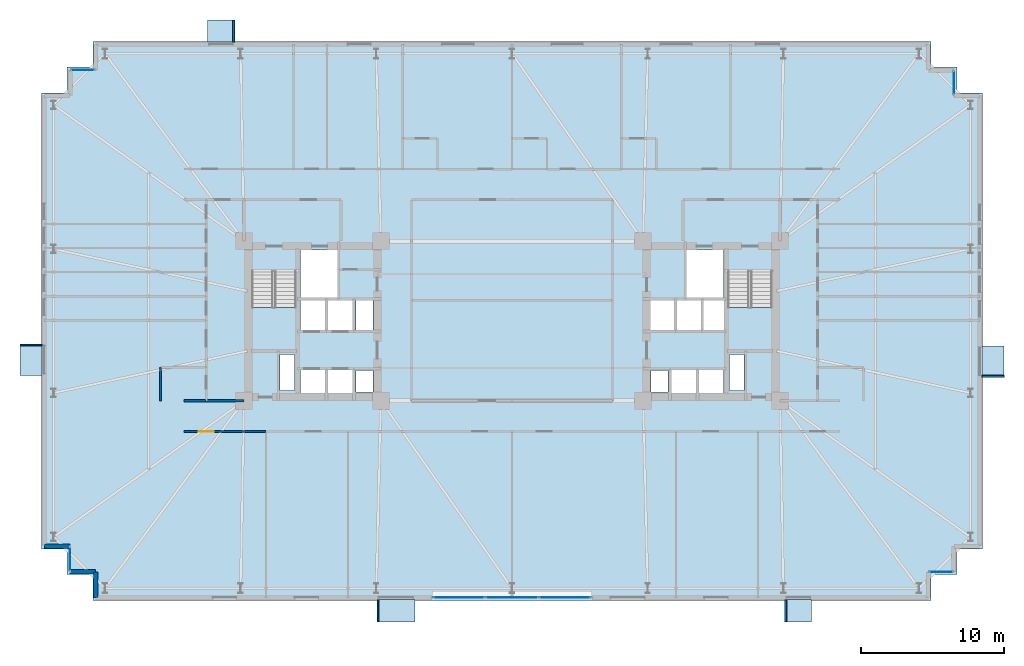
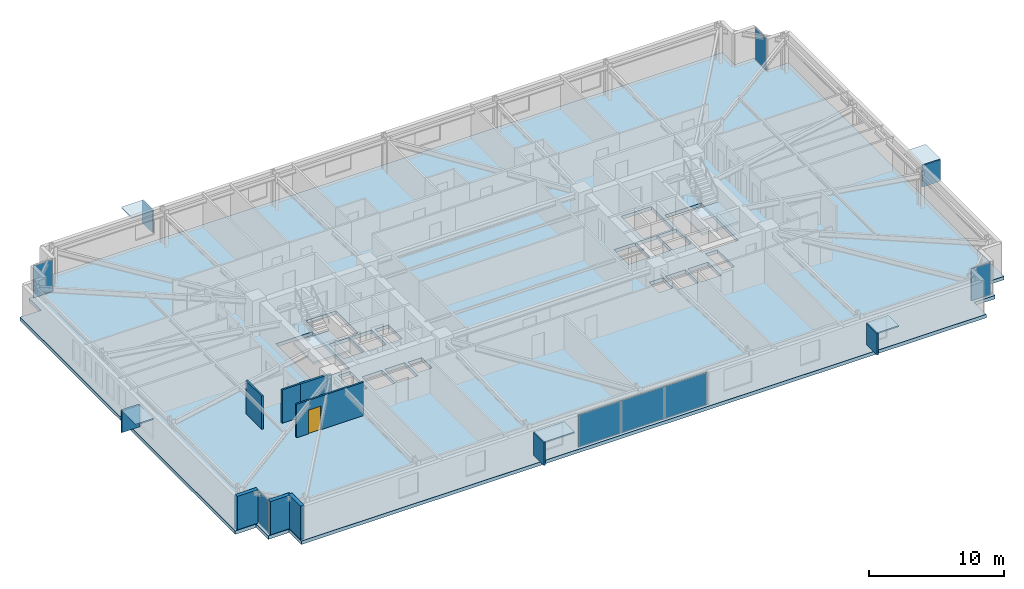
# One storey, part 17 of 24: 17 plates, 7 walls, 3 slabs, 1 door, 1 opening, 7 elements without a shape of their own.
"""IFC4 building model written with IfcOpenShell, lengths in metres."""

from ifc_helpers import new_model, si_unit, direction, frame, frame_2d, origin, origin_2d, place, context, subcontext, project, spatial, polyline, rectangle, outline, extrude, material, layer, layer_set, type_object, element, fill, aggregate, save


model = new_model("IFC4")

# Units and contexts
model_context = context("Model", 3, precision=1e-05, world=origin(), true_north=direction((0.0, 1.0)))
body_context = subcontext(model_context, "Body", "Model", "MODEL_VIEW")
ifc_project = project(units=[si_unit("LENGTHUNIT", "METRE"), si_unit("AREAUNIT", "SQUARE_METRE"), si_unit("VOLUMEUNIT", "CUBIC_METRE"), si_unit("PLANEANGLEUNIT", "RADIAN"), si_unit("MASSUNIT", "GRAM", prefix="KILO")], contexts=[model_context])

# Site, building, storey
site_placement = place(None, origin())
site = spatial("IfcSite", under=ifc_project, at=site_placement, CompositionType="ELEMENT")
building_placement = place(site_placement, origin())
building = spatial("IfcBuilding", under=site, at=building_placement, Name="Qobustan Lattice House", CompositionType="ELEMENT")
storey_placement = place(building_placement, frame((0.0, 0.0, 43.75)))
storey = spatial("IfcBuildingStorey", under=building, at=storey_placement, Name="L11", CompositionType="ELEMENT", Elevation=43.75)

# Curtain wall, plate
ifc_material_1 = material(Name="Anodised aluminium and low-E glazing", Category="aluminium")
ifc_layer_1 = layer(ifc_material_1, 0.219970703125)
ifc_layer_set_1 = layer_set([ifc_layer_1], Name="Anodised aluminium and low-E glazing")
curtain_wall_type_1 = type_object("IfcCurtainWallType", Name="CW-FAC-01", PredefinedType="USERDEFINED", material=ifc_layer_set_1)
curtain_wall_1_placement = place(storey_placement, origin())
curtain_wall_1 = element("IfcCurtainWall", 1, at=curtain_wall_1_placement, inside=storey, type_object=curtain_wall_type_1, Name="L11 serrated corner faceted glazing 3", ObjectType="CURTAIN WALL", PredefinedType="USERDEFINED")
ifc_material_2 = material(Name="Clear low-E laminated glass", Category="glass")
ifc_layer_2 = layer(ifc_material_2, 0.031982421875)
ifc_layer_set_2 = layer_set([ifc_layer_2], Name="Clear low-E laminated glass")
plate_type_1 = type_object("IfcPlateType", Name="CWP-VISION-32", PredefinedType="CURTAIN_PANEL", material=ifc_layer_set_2)
plate_1_placement = place(storey_placement, frame((-31.0, -16.699951171875, 0.06494140625), z_axis=(0.0, 0.0, 1.0), x_axis=(0.0, 1.0, 0.0)))
plate_1 = element("IfcPlate", 2, at=plate_1_placement, type_object=plate_type_1, Name="CW-F1 panel 1.1", PredefinedType="CURTAIN_PANEL", context=body_context, shape_type="SweptSolid", body=[
    extrude(rectangle(XDim=1.659912109375, YDim=0.031982421875, at=origin_2d()), origin(), (0.0, 0.0, 1.0), 2.905029296875),
])
aggregate(curtain_wall_1, [plate_1])

curtain_wall_2_placement = place(storey_placement, origin())
curtain_wall_2 = element("IfcCurtainWall", 3, at=curtain_wall_2_placement, inside=storey, type_object=curtain_wall_type_1, Name="L11 serrated corner faceted glazing 8", ObjectType="CURTAIN WALL", PredefinedType="USERDEFINED")
plate_2_placement = place(storey_placement, frame((-30.10009765625, 17.60009765625, 0.06494140625), z_axis=(0.0, 0.0, 1.0), x_axis=(1.0, 0.0, 0.0)))
plate_2 = element("IfcPlate", 4, at=plate_2_placement, type_object=plate_type_1, Name="CW-F1 panel 1.1", PredefinedType="CURTAIN_PANEL", context=body_context, shape_type="SweptSolid", body=[
    extrude(rectangle(XDim=1.659912109375, YDim=0.031982421875, at=origin_2d()), origin(), (0.0, 0.0, 1.0), 2.905029296875),
])
aggregate(curtain_wall_2, [plate_2])

curtain_wall_3_placement = place(storey_placement, origin())
curtain_wall_3 = element("IfcCurtainWall", 5, at=curtain_wall_3_placement, inside=storey, type_object=curtain_wall_type_1, Name="L11 serrated corner faceted glazing 13", ObjectType="CURTAIN WALL", PredefinedType="USERDEFINED")
plate_3_placement = place(storey_placement, frame((31.0, 16.699951171875, 0.06494140625), z_axis=(0.0, 0.0, 1.0), x_axis=(0.0, -1.0, 0.0)))
plate_3 = element("IfcPlate", 6, at=plate_3_placement, type_object=plate_type_1, Name="CW-F1 panel 1.1", PredefinedType="CURTAIN_PANEL", context=body_context, shape_type="SweptSolid", body=[
    extrude(rectangle(XDim=1.659912109375, YDim=0.031982421875, at=origin_2d()), origin(), (0.0, 0.0, 1.0), 2.905029296875),
])
aggregate(curtain_wall_3, [plate_3])

curtain_wall_4_placement = place(storey_placement, origin())
curtain_wall_4 = element("IfcCurtainWall", 7, at=curtain_wall_4_placement, inside=storey, type_object=curtain_wall_type_1, Name="L11 serrated corner faceted glazing 18", ObjectType="CURTAIN WALL", PredefinedType="USERDEFINED")
plate_4_placement = place(storey_placement, frame((30.10009765625, -17.60009765625, 0.06494140625), z_axis=(0.0, 0.0, 1.0), x_axis=(-1.0, 0.0, 0.0)))
plate_4 = element("IfcPlate", 8, at=plate_4_placement, type_object=plate_type_1, Name="CW-F1 panel 1.1", PredefinedType="CURTAIN_PANEL", context=body_context, shape_type="SweptSolid", body=[
    extrude(rectangle(XDim=1.659912109375, YDim=0.031982421875, at=origin_2d()), origin(), (0.0, 0.0, 1.0), 2.905029296875),
])
aggregate(curtain_wall_4, [plate_4])

# Curtain wall, plates
ifc_material_3 = material(Name="Anodised aluminium and low-E glazing", Category="aluminium")
ifc_layer_3 = layer(ifc_material_3, 0.219970703125)
ifc_layer_set_3 = layer_set([ifc_layer_3], Name="Anodised aluminium and low-E glazing")
curtain_wall_type_2 = type_object("IfcCurtainWallType", Name="CW-IWN-01", PredefinedType="USERDEFINED", material=ifc_layer_set_3)
curtain_wall_5_placement = place(storey_placement, origin())
curtain_wall_5 = element("IfcCurtainWall", 9, at=curtain_wall_5_placement, inside=storey, type_object=curtain_wall_type_2, Name="L11 IWAN-1 walnut-lined iwan curtain wall", ObjectType="CURTAIN WALL", PredefinedType="USERDEFINED")
plate_5_placement = place(storey_placement, frame((3.71337890625, -19.39990234375, 0.06494140625), z_axis=(0.0, 0.0, 1.0), x_axis=(-1.0, 0.0, 0.0)))
plate_5 = element("IfcPlate", 10, at=plate_5_placement, type_object=plate_type_1, Name="CW-IW panel 1.1", PredefinedType="CURTAIN_PANEL", context=body_context, shape_type="SweptSolid", body=[
    extrude(rectangle(XDim=3.61328125, YDim=0.031982421875, at=origin_2d()), origin(), (0.0, 0.0, 1.0), 2.905029296875),
])
plate_6_placement = place(storey_placement, frame((0.0, -19.39990234375, 0.06494140625), z_axis=(0.0, 0.0, 1.0), x_axis=(-1.0, 0.0, 0.0)))
plate_6 = element("IfcPlate", 11, at=plate_6_placement, type_object=plate_type_1, Name="CW-IW panel 2.1", PredefinedType="CURTAIN_PANEL", context=body_context, shape_type="SweptSolid", body=[
    extrude(rectangle(XDim=3.6533203125, YDim=0.031982421875, at=origin_2d()), origin(), (0.0, 0.0, 1.0), 2.905029296875),
])
plate_7_placement = place(storey_placement, frame((-3.71337890625, -19.39990234375, 0.06494140625), z_axis=(0.0, 0.0, 1.0), x_axis=(-1.0, 0.0, 0.0)))
plate_7 = element("IfcPlate", 12, at=plate_7_placement, type_object=plate_type_1, Name="CW-IW panel 3.1", PredefinedType="CURTAIN_PANEL", context=body_context, shape_type="SweptSolid", body=[
    extrude(rectangle(XDim=3.61328125, YDim=0.031982421875, at=origin_2d()), origin(), (0.0, 0.0, 1.0), 2.905029296875),
])
aggregate(curtain_wall_5, [plate_5, plate_6, plate_7])

# Plates
ifc_material_4 = material(Name="Qobustan limestone GFRC", Category="masonry")
ifc_layer_4 = layer(ifc_material_4, 0.1201171875)
ifc_layer_set_4 = layer_set([ifc_layer_4], Name="Qobustan limestone GFRC")
plate_type_2 = type_object("IfcPlateType", Name="SHD-HOOD-BROW", PredefinedType="USERDEFINED", material=ifc_layer_set_4)
plate_8_placement = place(storey_placement, frame((-33.72998046875, -2.719970703125, 2.699951171875), z_axis=(0.0, 0.0, 1.0), x_axis=(0.0, 1.0, 0.0)))
element("IfcPlate", 13, at=plate_8_placement, inside=storey, type_object=plate_type_2, Name="L11 splayed Qobustan stone hood brow", ObjectType="SUNSHADE", PredefinedType="USERDEFINED", context=body_context, shape_type="SweptSolid", body=[
    extrude(rectangle(XDim=2.18994140625, YDim=1.56005859375, at=origin_2d()), origin(), (0.0, 0.0, 1.0), 0.1201171875),
])
plate_9_placement = place(storey_placement, frame((-33.72998046875, -1.68505859375, 0.7900390625), z_axis=(0.0, 0.0, 1.0), x_axis=(0.0, 1.0, 0.0)))
element("IfcPlate", 14, at=plate_9_placement, inside=storey, type_object=plate_type_2, Name="L11 splayed Qobustan stone hood cheek", ObjectType="SUNSHADE", PredefinedType="USERDEFINED", context=body_context, shape_type="SweptSolid", body=[
    extrude(rectangle(XDim=0.1201171875, YDim=1.56005859375, at=origin_2d()), origin(), (0.0, 0.0, 1.0), 1.969970703125),
])
plate_10_placement = place(storey_placement, frame((-20.402587890625, 20.330078125, 2.699951171875), z_axis=(0.0, 0.0, 1.0), x_axis=(1.0, 0.0, 0.0)))
element("IfcPlate", 15, at=plate_10_placement, inside=storey, type_object=plate_type_2, Name="L11 splayed Qobustan stone hood brow", ObjectType="SUNSHADE", PredefinedType="USERDEFINED", context=body_context, shape_type="SweptSolid", body=[
    extrude(rectangle(XDim=1.889892578125, YDim=1.56005859375, at=origin_2d()), origin(), (0.0, 0.0, 1.0), 0.1201171875),
])
plate_11_placement = place(storey_placement, frame((-19.517578125, 20.330078125, 0.7900390625), z_axis=(0.0, 0.0, 1.0), x_axis=(1.0, 0.0, 0.0)))
element("IfcPlate", 16, at=plate_11_placement, inside=storey, type_object=plate_type_2, Name="L11 splayed Qobustan stone hood cheek", ObjectType="SUNSHADE", PredefinedType="USERDEFINED", context=body_context, shape_type="SweptSolid", body=[
    extrude(rectangle(XDim=0.1201171875, YDim=1.56005859375, at=origin_2d()), origin(), (0.0, 0.0, 1.0), 1.969970703125),
])
plate_12_placement = place(storey_placement, frame((33.72998046875, -2.840087890625, 2.699951171875), z_axis=(0.0, 0.0, 1.0), x_axis=(0.0, -1.0, 0.0)))
element("IfcPlate", 17, at=plate_12_placement, inside=storey, type_object=plate_type_2, Name="L11 splayed Qobustan stone hood brow", ObjectType="SUNSHADE", PredefinedType="USERDEFINED", context=body_context, shape_type="SweptSolid", body=[
    extrude(rectangle(XDim=2.18994140625, YDim=1.56005859375, at=origin_2d()), origin(), (0.0, 0.0, 1.0), 0.1201171875),
])
plate_13_placement = place(storey_placement, frame((33.72998046875, -3.875, 0.7900390625), z_axis=(0.0, 0.0, 1.0), x_axis=(0.0, -1.0, 0.0)))
element("IfcPlate", 18, at=plate_13_placement, inside=storey, type_object=plate_type_2, Name="L11 splayed Qobustan stone hood cheek", ObjectType="SUNSHADE", PredefinedType="USERDEFINED", context=body_context, shape_type="SweptSolid", body=[
    extrude(rectangle(XDim=0.1201171875, YDim=1.56005859375, at=origin_2d()), origin(), (0.0, 0.0, 1.0), 1.969970703125),
])
plate_14_placement = place(storey_placement, frame((20.080078125, -20.330078125, 2.699951171875), z_axis=(0.0, 0.0, 1.0), x_axis=(-1.0, 0.0, 0.0)))
element("IfcPlate", 19, at=plate_14_placement, inside=storey, type_object=plate_type_2, Name="L11 splayed Qobustan stone hood brow", ObjectType="SUNSHADE", PredefinedType="USERDEFINED", context=body_context, shape_type="SweptSolid", body=[
    extrude(rectangle(XDim=1.889892578125, YDim=1.56005859375, at=origin_2d()), origin(), (0.0, 0.0, 1.0), 0.1201171875),
])
plate_15_placement = place(storey_placement, frame((19.195068359375, -20.330078125, 0.7900390625), z_axis=(0.0, 0.0, 1.0), x_axis=(-1.0, 0.0, 0.0)))
element("IfcPlate", 20, at=plate_15_placement, inside=storey, type_object=plate_type_2, Name="L11 splayed Qobustan stone hood cheek", ObjectType="SUNSHADE", PredefinedType="USERDEFINED", context=body_context, shape_type="SweptSolid", body=[
    extrude(rectangle(XDim=0.1201171875, YDim=1.56005859375, at=origin_2d()), origin(), (0.0, 0.0, 1.0), 1.969970703125),
])
plate_16_placement = place(storey_placement, frame((-8.1298828125, -20.330078125, 2.800048828125), z_axis=(0.0, 0.0, 1.0), x_axis=(-1.0, 0.0, 0.0)))
element("IfcPlate", 21, at=plate_16_placement, inside=storey, type_object=plate_type_2, Name="L11 splayed Qobustan stone hood brow", ObjectType="SUNSHADE", PredefinedType="USERDEFINED", context=body_context, shape_type="SweptSolid", body=[
    extrude(rectangle(XDim=2.639892578125, YDim=1.56005859375, at=origin_2d()), origin(), (0.0, 0.0, 1.0), 0.1201171875),
])
plate_17_placement = place(storey_placement, frame((-9.389892578125, -20.330078125, 0.7900390625), z_axis=(0.0, 0.0, 1.0), x_axis=(-1.0, 0.0, 0.0)))
element("IfcPlate", 22, at=plate_17_placement, inside=storey, type_object=plate_type_2, Name="L11 splayed Qobustan stone hood cheek", ObjectType="SUNSHADE", PredefinedType="USERDEFINED", context=body_context, shape_type="SweptSolid", body=[
    extrude(rectangle(XDim=0.1201171875, YDim=1.56005859375, at=origin_2d()), origin(), (0.0, 0.0, 1.0), 2.070068359375),
])

# Slab
ifc_material_5 = material(Name="Concrete C40/50", Category="concrete")
ifc_layer_5 = layer(ifc_material_5, 0.31494140625)
ifc_layer_set_5 = layer_set([ifc_layer_5], Name="Concrete C40/50")
slab_type_1 = type_object("IfcSlabType", Name="SLB-FLR-315", PredefinedType="FLOOR", material=ifc_layer_set_5)
slab_1_placement = place(storey_placement, frame((0.0, 0.0, -0.31494140625)))
element("IfcSlab", 23, at=slab_1_placement, inside=storey, type_object=slab_type_1, Name="L11 structural floor slab", PredefinedType="FLOOR", context=body_context, shape_type="SweptSolid", body=[
    extrude(outline(polyline([(-29.39990234375, -19.60009765625), (29.39990234375, -19.60009765625), (29.39990234375, -17.800048828125), (31.199951171875, -17.800048828125), (31.199951171875, -16.0), (33.0, -16.0), (33.0, 16.0), (31.199951171875, 16.0), (31.199951171875, 17.800048828125), (29.39990234375, 17.800048828125), (29.39990234375, 19.60009765625), (-29.39990234375, 19.60009765625), (-29.39990234375, 17.800048828125), (-31.199951171875, 17.800048828125), (-31.199951171875, 16.0), (-33.0, 16.0), (-33.0, -16.0), (-31.199951171875, -16.0), (-31.199951171875, -17.800048828125), (-29.39990234375, -17.800048828125), (-29.39990234375, -19.60009765625)]), holes=[polyline([(-18.25, -2.050048828125), (-18.25, 3.489990234375), (-15.1298828125, 3.489990234375), (-15.1298828125, -2.050048828125), (-18.25, -2.050048828125)]), polyline([(15.1298828125, -2.050048828125), (15.1298828125, 3.489990234375), (18.25, 3.489990234375), (18.25, -2.050048828125), (15.1298828125, -2.050048828125)]), polyline([(-14.820068359375, 1.64990234375), (-14.820068359375, 4.9599609375), (-12.25, 4.9599609375), (-12.25, 1.64990234375), (-14.820068359375, 1.64990234375)]), polyline([(12.25, 1.64990234375), (12.25, 4.9599609375), (14.820068359375, 4.9599609375), (14.820068359375, 1.64990234375), (12.25, 1.64990234375)]), polyline([(-16.260009765625, -4.8798828125), (-16.260009765625, -2.360107421875), (-15.260009765625, -2.360107421875), (-15.260009765625, -4.8798828125), (-16.260009765625, -4.8798828125)]), polyline([(15.260009765625, -4.8798828125), (15.260009765625, -2.360107421875), (16.260009765625, -2.360107421875), (16.260009765625, -4.8798828125), (15.260009765625, -4.8798828125)]), polyline([(-14.85009765625, -5.35009765625), (-14.85009765625, -3.419921875), (-13.1201171875, -3.419921875), (-13.1201171875, -5.35009765625), (-14.85009765625, -5.35009765625)]), polyline([(-12.919921875, -5.35009765625), (-12.919921875, -3.419921875), (-11.179931640625, -3.419921875), (-11.179931640625, -5.35009765625), (-12.919921875, -5.35009765625)]), polyline([(-14.85009765625, -0.679931640625), (-14.85009765625, 1.47998046875), (-13.1201171875, 1.47998046875), (-13.1201171875, -0.679931640625), (-14.85009765625, -0.679931640625)]), polyline([(-12.919921875, -0.679931640625), (-12.919921875, 1.47998046875), (-11.179931640625, 1.47998046875), (-11.179931640625, -0.679931640625), (-12.919921875, -0.679931640625)]), polyline([(-10.93994140625, -5.0), (-10.93994140625, -3.47998046875), (-9.760009765625, -3.47998046875), (-9.760009765625, -5.0), (-10.93994140625, -5.0)]), polyline([(-10.93994140625, -0.6201171875), (-10.93994140625, 1.419921875), (-9.760009765625, 1.419921875), (-9.760009765625, -0.6201171875), (-10.93994140625, -0.6201171875)]), polyline([(11.179931640625, -5.35009765625), (11.179931640625, -3.419921875), (12.919921875, -3.419921875), (12.919921875, -5.35009765625), (11.179931640625, -5.35009765625)]), polyline([(13.1201171875, -5.35009765625), (13.1201171875, -3.419921875), (14.85009765625, -3.419921875), (14.85009765625, -5.35009765625), (13.1201171875, -5.35009765625)]), polyline([(9.760009765625, -5.0), (9.760009765625, -3.47998046875), (10.93994140625, -3.47998046875), (10.93994140625, -5.0), (9.760009765625, -5.0)]), polyline([(13.360107421875, -0.679931640625), (13.360107421875, 1.47998046875), (14.97998046875, 1.47998046875), (14.97998046875, -0.679931640625), (13.360107421875, -0.679931640625)]), polyline([(9.6201171875, -0.679931640625), (9.6201171875, 1.47998046875), (11.43994140625, 1.47998046875), (11.43994140625, -0.679931640625), (9.6201171875, -0.679931640625)]), polyline([(11.5, -0.679931640625), (11.5, 1.47998046875), (13.320068359375, 1.47998046875), (13.320068359375, -0.679931640625), (11.5, -0.679931640625)])]), origin(), (0.0, 0.0, 1.0), 0.31494140625),
])

# Stair, slab
ifc_material_6 = material(Name="Concrete C40/50", Category="concrete")
stair_type = type_object("IfcStairType", Name="STR-CORE-DOGLEG", PredefinedType="HALF_TURN_STAIR", material=ifc_material_6)
stair_1_placement = place(storey_placement, origin())
stair_1 = element("IfcStair", 24, at=stair_1_placement, inside=storey, type_object=stair_type, Name="L11 West protected exit stair ST-W1", PredefinedType="HALF_TURN_STAIR")
ifc_material_7 = material(Name="Concrete C40/50", Category="concrete")
ifc_layer_6 = layer(ifc_material_7, 0.199951171875)
ifc_layer_set_6 = layer_set([ifc_layer_6], Name="Concrete C40/50")
slab_type_2 = type_object("IfcSlabType", Name="SLB-LANDING-200", PredefinedType="LANDING", material=ifc_layer_set_6)
slab_2_placement = place(storey_placement, frame((0.0, 0.0, 1.47509765625)))
slab_2 = element("IfcSlab", 25, at=slab_2_placement, type_object=slab_type_2, Name="ST-W1 landing 1", PredefinedType="LANDING", context=body_context, shape_type="SweptSolid", body=[
    extrude(outline(polyline([(-18.25, 0.93505859375), (-18.25, -2.050048828125), (-15.1298828125, -2.050048828125), (-15.1298828125, 0.93505859375), (-18.25, 0.93505859375)])), origin(), (0.0, 0.0, 1.0), 0.199951171875),
])
aggregate(stair_1, [slab_2])

stair_2_placement = place(storey_placement, origin())
stair_2 = element("IfcStair", 26, at=stair_2_placement, inside=storey, type_object=stair_type, Name="L11 East protected exit stair ST-E1", PredefinedType="HALF_TURN_STAIR")
slab_3_placement = place(storey_placement, frame((0.0, 0.0, 1.47509765625)))
slab_3 = element("IfcSlab", 27, at=slab_3_placement, type_object=slab_type_2, Name="ST-E1 landing 1", PredefinedType="LANDING", context=body_context, shape_type="SweptSolid", body=[
    extrude(outline(polyline([(15.1298828125, 0.93505859375), (15.1298828125, -2.050048828125), (18.25, -2.050048828125), (18.25, 0.93505859375), (15.1298828125, 0.93505859375)])), origin(), (0.0, 0.0, 1.0), 0.199951171875),
])
aggregate(stair_2, [slab_3])

# Walls
ifc_material_8 = material(Name="Precast concrete C40/50", Category="concrete")
ifc_layer_7 = layer(ifc_material_8, 0.320068359375)
ifc_layer_set_7 = layer_set([ifc_layer_7], Name="Precast concrete C40/50")
wall_type_1 = type_object("IfcWallType", Name="WAL-EXT-STONE-320", PredefinedType="SOLIDWALL", material=ifc_layer_set_7)
wall_1_placement = place(storey_placement, frame((-29.199951171875, -19.39990234375, 0.0), z_axis=(0.0, 0.0, 1.0), x_axis=(0.0, 1.0, 0.0)))
element("IfcWall", 28, at=wall_1_placement, inside=storey, type_object=wall_type_1, Name="L11 exterior limestone-clad wall 1", PredefinedType="SOLIDWALL", context=body_context, shape_type="SweptSolid", body=[
    extrude(rectangle(XDim=1.7998046875, YDim=0.320068359375, at=frame_2d((0.89990234375, 0.0))), origin(), (0.0, 0.0, 1.0), 3.034912109375),
])
for number, where, z_axis, x_axis, name in (
    (29, (-29.199951171875, -17.60009765625, 0.0), (0.0, 0.0, 1.0), (-1.0, 0.0, 0.0), "L11 exterior limestone-clad wall 2"),
    (30, (-31.0, -15.800048828125, 0.0), (0.0, 0.0, 1.0), (-1.0, 0.0, 0.0), "L11 exterior limestone-clad wall 4"),
):
    element("IfcWall", number, at=place(storey_placement, frame(where, z_axis=z_axis, x_axis=x_axis)), inside=storey, type_object=wall_type_1, Name=name, PredefinedType="SOLIDWALL", context=body_context, shape_type="SweptSolid", body=[
        extrude(rectangle(XDim=1.800048828125, YDim=0.320068359375, at=frame_2d((0.89990234375, 0.0))), origin(), (0.0, 0.0, 1.0), 3.034912109375),
    ])
ifc_material_9 = material(Name="Gypsum fireboard acoustic partition", Category="gypsum")
ifc_layer_8 = layer(ifc_material_9, 0.179931640625)
ifc_layer_set_8 = layer_set([ifc_layer_8], Name="Gypsum fireboard acoustic partition")
wall_type_2 = type_object("IfcWallType", Name="WAL-FIRE-180", PredefinedType="PARTITIONING", material=ifc_layer_set_8)
wall_2_placement = place(storey_placement, frame((-21.449951171875, -5.60009765625, 0.0), z_axis=(0.0, 0.0, 1.0), x_axis=(1.0, 0.0, 0.0)))
element("IfcWall", 31, at=wall_2_placement, inside=storey, type_object=wall_type_2, Name="L11 interior partition 53", PredefinedType="PARTITIONING", context=body_context, shape_type="SweptSolid", body=[
    extrude(rectangle(XDim=2.64990234375, YDim=0.179931640625, at=frame_2d((1.324951171875, 0.0))), origin(), (0.0, 0.0, 1.0), 3.034912109375),
])

# Wall, opening, door
ifc_material_10 = material(Name="Acoustic twin-stud gypsum partition", Category="gypsum")
ifc_layer_9 = layer(ifc_material_10, 0.14990234375)
ifc_layer_set_9 = layer_set([ifc_layer_9], Name="Acoustic twin-stud gypsum partition")
wall_type_3 = type_object("IfcWallType", Name="WAL-PART-150", PredefinedType="PARTITIONING", material=ifc_layer_set_9)
wall_3_placement = place(storey_placement, frame((-17.25, -7.75, 0.0), z_axis=(0.0, 0.0, 1.0), x_axis=(-1.0, 0.0, 0.0)))
wall_3 = element("IfcWall", 32, at=wall_3_placement, inside=storey, type_object=wall_type_3, Name="L11 interior partition 55", PredefinedType="PARTITIONING", context=body_context, shape_type="SweptSolid", body=[
    extrude(rectangle(XDim=5.75, YDim=0.14990234375, at=frame_2d((2.875, 0.0))), origin(), (0.0, 0.0, 1.0), 3.034912109375),
])
opening_placement = place(wall_3_placement, frame((3.677490234375, 0.0, 0.0)))
opening = element("IfcOpeningElement", 33, at=opening_placement, cuts=wall_3, Name="Opening ID-02", PredefinedType="OPENING", context=body_context, shape_type="SweptSolid", body=[
    extrude(rectangle(XDim=1.050048828125, YDim=2.14990234375, at=frame_2d((0.52490234375, 1.074951171875))), frame((0.0, 0.0849609375, 0.0), z_axis=(0.0, -1.0, 0.0), x_axis=(1.0, 0.0, 0.0)), (0.0, 0.0, 1.0), 0.169921875),
])
ifc_material_11 = material(Name="Persian walnut timber and steel frame door", Category="steel")
door_type = type_object("IfcDoorType", Name="DOR-STUDY-1050x2150", OperationType="NOTDEFINED", PredefinedType="DOOR", material=ifc_material_11)
door_placement = place(opening_placement, origin())
door = element("IfcDoor", 34, at=door_placement, inside=storey, type_object=door_type, Name="L11 South-west floor corridor to Focus study room S1A door", OperationType="SINGLE_SWING_RIGHT", OverallHeight=2.14990234375, OverallWidth=1.050048828125, PredefinedType="DOOR", context=body_context, shape_type="SweptSolid", body=[
    extrude(rectangle(XDim=1.050048828125, YDim=2.14990234375, at=frame_2d((0.52490234375, 1.074951171875))), frame((0.0, 0.02490234375, 0.0), z_axis=(0.0, -1.0, 0.0), x_axis=(1.0, 0.0, 0.0)), (0.0, 0.0, 1.0), 0.050048828125),
])
fill(opening, door)

# Walls
ifc_material_12 = material(Name="Moisture-resistant acoustic plumbing wall", Category="gypsum")
ifc_layer_10 = layer(ifc_material_12, 0.14990234375)
ifc_layer_set_10 = layer_set([ifc_layer_10], Name="Moisture-resistant acoustic plumbing wall")
wall_type_4 = type_object("IfcWallType", Name="WAL-WET-150", PredefinedType="PLUMBINGWALL", material=ifc_layer_set_10)
wall_4_placement = place(storey_placement, frame((-23.0, -5.60009765625, 0.0), z_axis=(0.0, 0.0, 1.0), x_axis=(1.0, 0.0, 0.0)))
element("IfcWall", 35, at=wall_4_placement, inside=storey, type_object=wall_type_4, Name="L11 interior partition 54", PredefinedType="PLUMBINGWALL", context=body_context, shape_type="SweptSolid", body=[
    extrude(rectangle(XDim=1.550048828125, YDim=0.14990234375, at=frame_2d((0.77490234375, 0.0))), origin(), (0.0, 0.0, 1.0), 3.034912109375),
])
wall_5_placement = place(storey_placement, frame((-24.64990234375, -5.60009765625, 0.0), z_axis=(0.0, 0.0, 1.0), x_axis=(0.0, 1.0, 0.0)))
element("IfcWall", 36, at=wall_5_placement, inside=storey, type_object=wall_type_4, Name="L11 interior partition 77", PredefinedType="PLUMBINGWALL", context=body_context, shape_type="SweptSolid", body=[
    extrude(rectangle(XDim=2.35009765625, YDim=0.14990234375, at=frame_2d((1.175048828125, 0.0))), origin(), (0.0, 0.0, 1.0), 3.034912109375),
])

save(model, "model.ifc")
